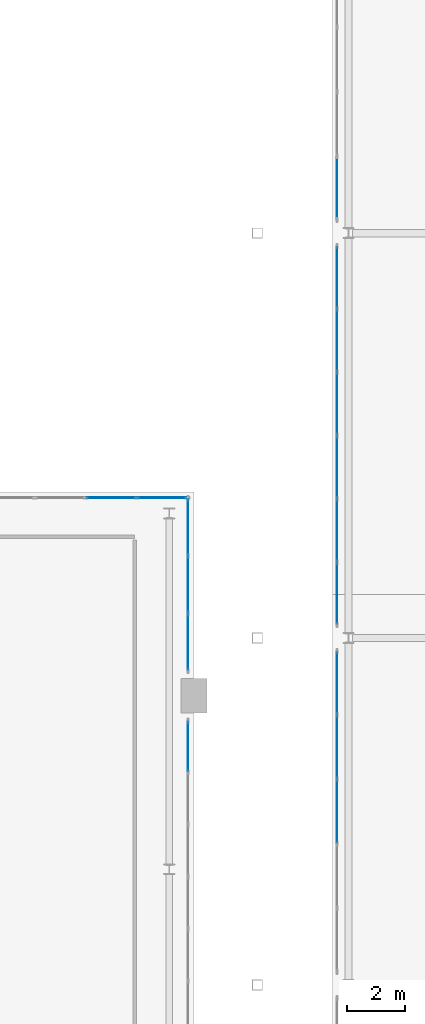
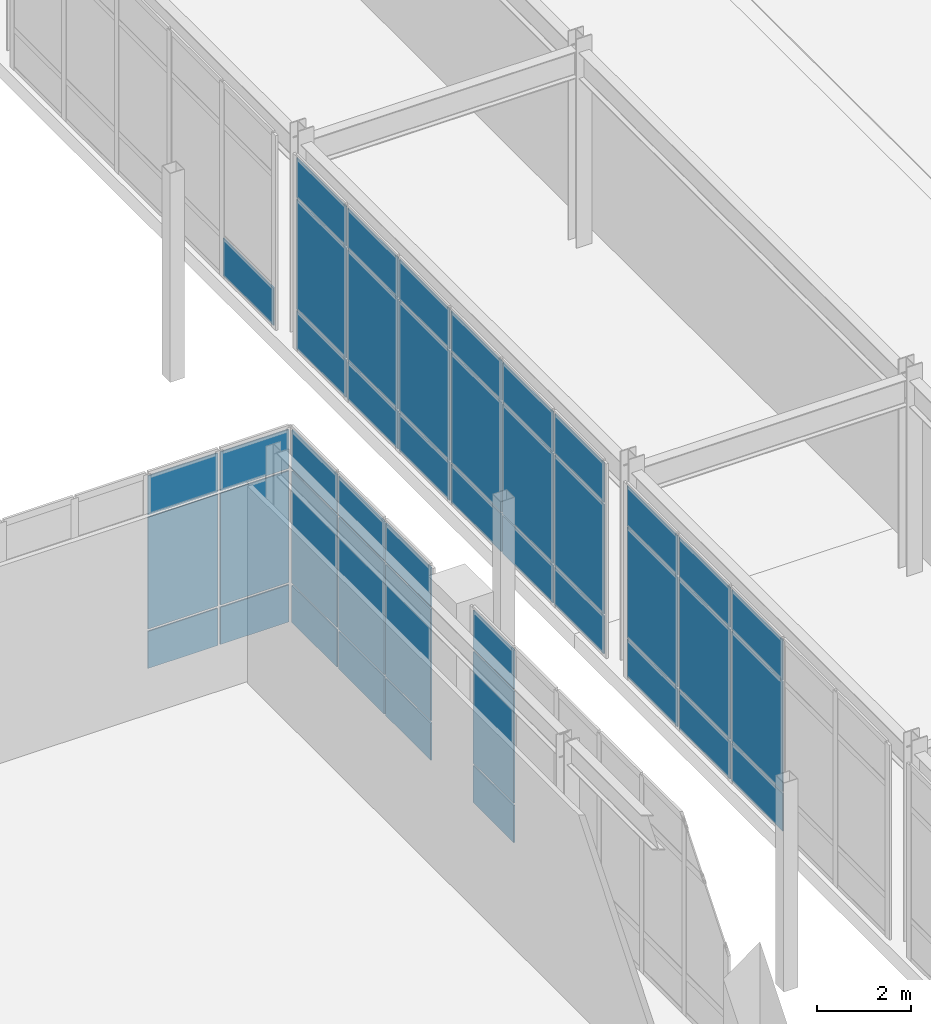
# One storey, part 113 of 159: 46 plates, 6 elements without a shape of their own.
"""IFC4 building model written with IfcOpenShell, lengths in metres."""

from ifc_helpers import new_model, si_unit, derived_unit, direction, frame, origin, origin_2d, place, context, subcontext, project, spatial, rectangle, extrude, material, layer, layer_set, type_object, element, aggregate, save


model = new_model("IFC4")

# Units and contexts
model_context = context("Model", 3, precision=1e-05, world=origin(), true_north=direction((0.0, 1.0)))
body_context = subcontext(model_context, "Body", "Model", "MODEL_VIEW")
ifc_project = project(units=[si_unit("LENGTHUNIT", "METRE"), si_unit("AREAUNIT", "SQUARE_METRE"), si_unit("VOLUMEUNIT", "CUBIC_METRE"), si_unit("PLANEANGLEUNIT", "RADIAN"), si_unit("MASSUNIT", "GRAM", prefix="KILO"), derived_unit("THERMALTRANSMITTANCEUNIT", [(si_unit("MASSUNIT", "GRAM", prefix="KILO"), 1), (si_unit("TIMEUNIT", "SECOND"), -3), (si_unit("THERMODYNAMICTEMPERATUREUNIT", "KELVIN"), -1)])], contexts=[model_context])

# Site, building, storey
site_placement = place(None, origin())
site = spatial("IfcSite", under=ifc_project, at=site_placement, CompositionType="ELEMENT")
building_placement = place(site_placement, origin())
building = spatial("IfcBuilding", under=site, at=building_placement, Name="Valcora Ridge Arena", CompositionType="ELEMENT")
storey_placement = place(building_placement, frame((0.0, 0.0, 6.0)))
storey = spatial("IfcBuildingStorey", under=building, at=storey_placement, Name="L01", CompositionType="ELEMENT", Elevation=6.0)

# Curtain wall, plates
ifc_material_1 = material(Name="Anodised dark bronze architectural aluminium 6063-T6", Category="aluminium")
ifc_layer_1 = layer(ifc_material_1, 0.179931640625, Name="Anodised dark bronze architectural aluminium 6063-T6")
ifc_layer_set_1 = layer_set([ifc_layer_1], Name="Anodised dark bronze architectural aluminium 6063-T6")
curtain_wall_type_1 = type_object("IfcCurtainWallType", Name="TY-CURTAINWALL-CW-V3-LANCET-194X51", PredefinedType="NOTDEFINED", material=ifc_layer_set_1)
curtain_wall_1_placement = place(storey_placement, origin())
curtain_wall_1 = element("IfcCurtainWall", 1, at=curtain_wall_1_placement, inside=storey, type_object=curtain_wall_type_1, Name="CW-V3-LANCET-194X51 CW-0017", PredefinedType="NOTDEFINED")
ifc_material_2 = material(Name="Low-iron solar-control double glazing SHGC 0.28", Category="glass")
ifc_layer_2 = layer(ifc_material_2, 0.031982421875, Name="Low-iron solar-control double glazing SHGC 0.28")
ifc_layer_set_2 = layer_set([ifc_layer_2], Name="Low-iron solar-control double glazing SHGC 0.28")
plate_type_1 = type_object("IfcPlateType", Name="TY-PLT-CWP-1678X0960", PredefinedType="CURTAIN_PANEL", material=ifc_layer_set_2)
plate_1_placement = place(storey_placement, frame((130.7509765625, 44.85009765625, 0.06005859375), z_axis=(0.0, 0.0, 1.0), x_axis=(1.0, 0.0, 0.0)))
plate_1 = element("IfcPlate", 2, at=plate_1_placement, type_object=plate_type_1, Name="CW-0017/P10-00", PredefinedType="CURTAIN_PANEL", context=body_context, shape_type="SweptSolid", body=[
    extrude(rectangle(XDim=1.677978515625, YDim=0.031982421875, at=origin_2d()), origin(), (0.0, 0.0, 1.0), 0.9599609375),
])
ifc_layer_3 = layer(ifc_material_2, 0.031982421875, Name="Low-iron solar-control double glazing SHGC 0.28")
ifc_layer_set_3 = layer_set([ifc_layer_3], Name="Low-iron solar-control double glazing SHGC 0.28")
plate_type_2 = type_object("IfcPlateType", Name="TY-PLT-CWP-1678X1010", PredefinedType="CURTAIN_PANEL", material=ifc_layer_set_3)
plate_2_placement = place(storey_placement, frame((130.7509765625, 44.85009765625, 4.02978515625), z_axis=(0.0, 0.0, 1.0), x_axis=(1.0, 0.0, 0.0)))
plate_2 = element("IfcPlate", 3, at=plate_2_placement, type_object=plate_type_2, Name="CW-0017/P10-02", PredefinedType="CURTAIN_PANEL", context=body_context, shape_type="SweptSolid", body=[
    extrude(rectangle(XDim=1.677978515625, YDim=0.031982421875, at=origin_2d()), origin(), (0.0, 0.0, 1.0), 1.010009765625),
])
ifc_layer_4 = layer(ifc_material_2, 0.031982421875, Name="Low-iron solar-control double glazing SHGC 0.28")
ifc_layer_set_4 = layer_set([ifc_layer_4], Name="Low-iron solar-control double glazing SHGC 0.28")
plate_type_3 = type_object("IfcPlateType", Name="TY-PLT-CWP-1678X2890", PredefinedType="CURTAIN_PANEL", material=ifc_layer_set_4)
plate_3_placement = place(storey_placement, frame((130.7509765625, 44.85009765625, 1.080078125), z_axis=(0.0, 0.0, 1.0), x_axis=(1.0, 0.0, 0.0)))
plate_3 = element("IfcPlate", 4, at=plate_3_placement, type_object=plate_type_3, Name="CW-0017/P10-01", PredefinedType="CURTAIN_PANEL", context=body_context, shape_type="SweptSolid", body=[
    extrude(rectangle(XDim=1.677978515625, YDim=0.031982421875, at=origin_2d()), origin(), (0.0, 0.0, 1.0), 2.889892578125),
])
ifc_layer_5 = layer(ifc_material_2, 0.031982421875, Name="Low-iron solar-control double glazing SHGC 0.28")
ifc_layer_set_5 = layer_set([ifc_layer_5], Name="Low-iron solar-control double glazing SHGC 0.28")
plate_type_4 = type_object("IfcPlateType", Name="TY-PLT-CWP-1708X0960", PredefinedType="CURTAIN_PANEL", material=ifc_layer_set_5)
plate_4_placement = place(storey_placement, frame((128.998046875, 44.85009765625, 0.06005859375), z_axis=(0.0, 0.0, 1.0), x_axis=(1.0, 0.0, 0.0)))
plate_4 = element("IfcPlate", 5, at=plate_4_placement, type_object=plate_type_4, Name="CW-0017/P09-00", PredefinedType="CURTAIN_PANEL", context=body_context, shape_type="SweptSolid", body=[
    extrude(rectangle(XDim=1.7080078125, YDim=0.031982421875, at=origin_2d()), origin(), (0.0, 0.0, 1.0), 0.9599609375),
])
ifc_layer_6 = layer(ifc_material_2, 0.031982421875, Name="Low-iron solar-control double glazing SHGC 0.28")
ifc_layer_set_6 = layer_set([ifc_layer_6], Name="Low-iron solar-control double glazing SHGC 0.28")
plate_type_5 = type_object("IfcPlateType", Name="TY-PLT-CWP-1708X1010", PredefinedType="CURTAIN_PANEL", material=ifc_layer_set_6)
plate_5_placement = place(storey_placement, frame((128.998046875, 44.85009765625, 4.02978515625), z_axis=(0.0, 0.0, 1.0), x_axis=(1.0, 0.0, 0.0)))
plate_5 = element("IfcPlate", 6, at=plate_5_placement, type_object=plate_type_5, Name="CW-0017/P09-02", PredefinedType="CURTAIN_PANEL", context=body_context, shape_type="SweptSolid", body=[
    extrude(rectangle(XDim=1.7080078125, YDim=0.031982421875, at=origin_2d()), origin(), (0.0, 0.0, 1.0), 1.010009765625),
])
ifc_layer_7 = layer(ifc_material_2, 0.031982421875, Name="Low-iron solar-control double glazing SHGC 0.28")
ifc_layer_set_7 = layer_set([ifc_layer_7], Name="Low-iron solar-control double glazing SHGC 0.28")
plate_type_6 = type_object("IfcPlateType", Name="TY-PLT-CWP-1708X2890", PredefinedType="CURTAIN_PANEL", material=ifc_layer_set_7)
plate_6_placement = place(storey_placement, frame((128.998046875, 44.85009765625, 1.080078125), z_axis=(0.0, 0.0, 1.0), x_axis=(1.0, 0.0, 0.0)))
plate_6 = element("IfcPlate", 7, at=plate_6_placement, type_object=plate_type_6, Name="CW-0017/P09-01", PredefinedType="CURTAIN_PANEL", context=body_context, shape_type="SweptSolid", body=[
    extrude(rectangle(XDim=1.7080078125, YDim=0.031982421875, at=origin_2d()), origin(), (0.0, 0.0, 1.0), 2.889892578125),
])
aggregate(curtain_wall_1, [plate_4, plate_6, plate_5, plate_1, plate_3, plate_2])

ifc_layer_8 = layer(ifc_material_1, 0.179931640625, Name="Anodised dark bronze architectural aluminium 6063-T6")
ifc_layer_set_8 = layer_set([ifc_layer_8], Name="Anodised dark bronze architectural aluminium 6063-T6")
curtain_wall_type_2 = type_object("IfcCurtainWallType", Name="TY-CURTAINWALL-CW-V3-LANCET-108X51", PredefinedType="NOTDEFINED", material=ifc_layer_set_8)
curtain_wall_2_placement = place(storey_placement, origin())
curtain_wall_2 = element("IfcCurtainWall", 8, at=curtain_wall_2_placement, inside=storey, type_object=curtain_wall_type_2, Name="CW-V3-LANCET-108X51 CW-0015", PredefinedType="NOTDEFINED")
ifc_layer_9 = layer(ifc_material_2, 0.031982421875, Name="Low-iron solar-control double glazing SHGC 0.28")
ifc_layer_set_9 = layer_set([ifc_layer_9], Name="Low-iron solar-control double glazing SHGC 0.28")
plate_type_7 = type_object("IfcPlateType", Name="TY-PLT-CWP-1713X0960", PredefinedType="CURTAIN_PANEL", material=ifc_layer_set_9)
plate_7_placement = place(storey_placement, frame((131.64990234375, 36.243408203125, 0.06005859375), z_axis=(0.0, 0.0, 1.0), x_axis=(0.0, 1.0, 0.0)))
plate_7 = element("IfcPlate", 9, at=plate_7_placement, type_object=plate_type_7, Name="CW-0015/P05-00", PredefinedType="CURTAIN_PANEL", context=body_context, shape_type="SweptSolid", body=[
    extrude(rectangle(XDim=1.712890625, YDim=0.031982421875, at=origin_2d()), origin(), (0.0, 0.0, 1.0), 0.9599609375),
])
ifc_layer_10 = layer(ifc_material_2, 0.031982421875, Name="Low-iron solar-control double glazing SHGC 0.28")
ifc_layer_set_10 = layer_set([ifc_layer_10], Name="Low-iron solar-control double glazing SHGC 0.28")
plate_type_8 = type_object("IfcPlateType", Name="TY-PLT-CWP-1713X1010", PredefinedType="CURTAIN_PANEL", material=ifc_layer_set_10)
plate_8_placement = place(storey_placement, frame((131.64990234375, 36.243408203125, 4.02978515625), z_axis=(0.0, 0.0, 1.0), x_axis=(0.0, 1.0, 0.0)))
plate_8 = element("IfcPlate", 10, at=plate_8_placement, type_object=plate_type_8, Name="CW-0015/P05-02", PredefinedType="CURTAIN_PANEL", context=body_context, shape_type="SweptSolid", body=[
    extrude(rectangle(XDim=1.712890625, YDim=0.031982421875, at=origin_2d()), origin(), (0.0, 0.0, 1.0), 1.010009765625),
])
ifc_layer_11 = layer(ifc_material_2, 0.031982421875, Name="Low-iron solar-control double glazing SHGC 0.28")
ifc_layer_set_11 = layer_set([ifc_layer_11], Name="Low-iron solar-control double glazing SHGC 0.28")
plate_type_9 = type_object("IfcPlateType", Name="TY-PLT-CWP-1713X2890", PredefinedType="CURTAIN_PANEL", material=ifc_layer_set_11)
plate_9_placement = place(storey_placement, frame((131.64990234375, 36.243408203125, 1.080078125), z_axis=(0.0, 0.0, 1.0), x_axis=(0.0, 1.0, 0.0)))
plate_9 = element("IfcPlate", 11, at=plate_9_placement, type_object=plate_type_9, Name="CW-0015/P05-01", PredefinedType="CURTAIN_PANEL", context=body_context, shape_type="SweptSolid", body=[
    extrude(rectangle(XDim=1.712890625, YDim=0.031982421875, at=origin_2d()), origin(), (0.0, 0.0, 1.0), 2.889892578125),
])
aggregate(curtain_wall_2, [plate_7, plate_9, plate_8])

ifc_layer_12 = layer(ifc_material_1, 0.179931640625, Name="Anodised dark bronze architectural aluminium 6063-T6")
ifc_layer_set_12 = layer_set([ifc_layer_12], Name="Anodised dark bronze architectural aluminium 6063-T6")
curtain_wall_type_3 = type_object("IfcCurtainWallType", Name="TY-CURTAINWALL-CW-V3-LANCET-060X51", PredefinedType="NOTDEFINED", material=ifc_layer_set_12)
curtain_wall_3_placement = place(storey_placement, origin())
curtain_wall_3 = element("IfcCurtainWall", 12, at=curtain_wall_3_placement, inside=storey, type_object=curtain_wall_type_3, Name="CW-V3-LANCET-060X51 CW-0016", PredefinedType="NOTDEFINED")
ifc_layer_13 = layer(ifc_material_2, 0.031982421875, Name="Low-iron solar-control double glazing SHGC 0.28")
ifc_layer_set_13 = layer_set([ifc_layer_13], Name="Low-iron solar-control double glazing SHGC 0.28")
plate_type_10 = type_object("IfcPlateType", Name="TY-PLT-CWP-1913X0960", PredefinedType="CURTAIN_PANEL", material=ifc_layer_set_13)
plate_10_placement = place(storey_placement, frame((131.64990234375, 39.8564453125, 0.06005859375), z_axis=(0.0, 0.0, 1.0), x_axis=(0.0, 1.0, 0.0)))
plate_10 = element("IfcPlate", 13, at=plate_10_placement, type_object=plate_type_10, Name="CW-0016/P00-00", PredefinedType="CURTAIN_PANEL", context=body_context, shape_type="SweptSolid", body=[
    extrude(rectangle(XDim=1.9130859375, YDim=0.031982421875, at=origin_2d()), origin(), (0.0, 0.0, 1.0), 0.9599609375),
])
plate_11_placement = place(storey_placement, frame((131.64990234375, 43.83349609375, 0.06005859375), z_axis=(0.0, 0.0, 1.0), x_axis=(0.0, 1.0, 0.0)))
plate_11 = element("IfcPlate", 14, at=plate_11_placement, type_object=plate_type_10, Name="CW-0016/P02-00", PredefinedType="CURTAIN_PANEL", context=body_context, shape_type="SweptSolid", body=[
    extrude(rectangle(XDim=1.9130859375, YDim=0.031982421875, at=origin_2d()), origin(), (0.0, 0.0, 1.0), 0.9599609375),
])
ifc_layer_14 = layer(ifc_material_2, 0.031982421875, Name="Low-iron solar-control double glazing SHGC 0.28")
ifc_layer_set_14 = layer_set([ifc_layer_14], Name="Low-iron solar-control double glazing SHGC 0.28")
plate_type_11 = type_object("IfcPlateType", Name="TY-PLT-CWP-1913X1010", PredefinedType="CURTAIN_PANEL", material=ifc_layer_set_14)
plate_12_placement = place(storey_placement, frame((131.64990234375, 39.8564453125, 4.02978515625), z_axis=(0.0, 0.0, 1.0), x_axis=(0.0, 1.0, 0.0)))
plate_12 = element("IfcPlate", 15, at=plate_12_placement, type_object=plate_type_11, Name="CW-0016/P00-02", PredefinedType="CURTAIN_PANEL", context=body_context, shape_type="SweptSolid", body=[
    extrude(rectangle(XDim=1.9130859375, YDim=0.031982421875, at=origin_2d()), origin(), (0.0, 0.0, 1.0), 1.010009765625),
])
plate_13_placement = place(storey_placement, frame((131.64990234375, 43.83349609375, 4.02978515625), z_axis=(0.0, 0.0, 1.0), x_axis=(0.0, 1.0, 0.0)))
plate_13 = element("IfcPlate", 16, at=plate_13_placement, type_object=plate_type_11, Name="CW-0016/P02-02", PredefinedType="CURTAIN_PANEL", context=body_context, shape_type="SweptSolid", body=[
    extrude(rectangle(XDim=1.9130859375, YDim=0.031982421875, at=origin_2d()), origin(), (0.0, 0.0, 1.0), 1.010009765625),
])
ifc_layer_15 = layer(ifc_material_2, 0.031982421875, Name="Low-iron solar-control double glazing SHGC 0.28")
ifc_layer_set_15 = layer_set([ifc_layer_15], Name="Low-iron solar-control double glazing SHGC 0.28")
plate_type_12 = type_object("IfcPlateType", Name="TY-PLT-CWP-1913X2890", PredefinedType="CURTAIN_PANEL", material=ifc_layer_set_15)
plate_14_placement = place(storey_placement, frame((131.64990234375, 39.8564453125, 1.080078125), z_axis=(0.0, 0.0, 1.0), x_axis=(0.0, 1.0, 0.0)))
plate_14 = element("IfcPlate", 17, at=plate_14_placement, type_object=plate_type_12, Name="CW-0016/P00-01", PredefinedType="CURTAIN_PANEL", context=body_context, shape_type="SweptSolid", body=[
    extrude(rectangle(XDim=1.9130859375, YDim=0.031982421875, at=origin_2d()), origin(), (0.0, 0.0, 1.0), 2.889892578125),
])
plate_15_placement = place(storey_placement, frame((131.64990234375, 43.83349609375, 1.080078125), z_axis=(0.0, 0.0, 1.0), x_axis=(0.0, 1.0, 0.0)))
plate_15 = element("IfcPlate", 18, at=plate_15_placement, type_object=plate_type_12, Name="CW-0016/P02-01", PredefinedType="CURTAIN_PANEL", context=body_context, shape_type="SweptSolid", body=[
    extrude(rectangle(XDim=1.9130859375, YDim=0.031982421875, at=origin_2d()), origin(), (0.0, 0.0, 1.0), 2.889892578125),
])
ifc_layer_16 = layer(ifc_material_2, 0.031982421875, Name="Low-iron solar-control double glazing SHGC 0.28")
ifc_layer_set_16 = layer_set([ifc_layer_16], Name="Low-iron solar-control double glazing SHGC 0.28")
plate_type_13 = type_object("IfcPlateType", Name="TY-PLT-CWP-1944X0960", PredefinedType="CURTAIN_PANEL", material=ifc_layer_set_16)
plate_16_placement = place(storey_placement, frame((131.64990234375, 41.844970703125, 0.06005859375), z_axis=(0.0, 0.0, 1.0), x_axis=(0.0, 1.0, 0.0)))
plate_16 = element("IfcPlate", 19, at=plate_16_placement, type_object=plate_type_13, Name="CW-0016/P01-00", PredefinedType="CURTAIN_PANEL", context=body_context, shape_type="SweptSolid", body=[
    extrude(rectangle(XDim=1.944091796875, YDim=0.031982421875, at=origin_2d()), origin(), (0.0, 0.0, 1.0), 0.9599609375),
])
ifc_layer_17 = layer(ifc_material_2, 0.031982421875, Name="Low-iron solar-control double glazing SHGC 0.28")
ifc_layer_set_17 = layer_set([ifc_layer_17], Name="Low-iron solar-control double glazing SHGC 0.28")
plate_type_14 = type_object("IfcPlateType", Name="TY-PLT-CWP-1944X1010", PredefinedType="CURTAIN_PANEL", material=ifc_layer_set_17)
plate_17_placement = place(storey_placement, frame((131.64990234375, 41.844970703125, 4.02978515625), z_axis=(0.0, 0.0, 1.0), x_axis=(0.0, 1.0, 0.0)))
plate_17 = element("IfcPlate", 20, at=plate_17_placement, type_object=plate_type_14, Name="CW-0016/P01-02", PredefinedType="CURTAIN_PANEL", context=body_context, shape_type="SweptSolid", body=[
    extrude(rectangle(XDim=1.944091796875, YDim=0.031982421875, at=origin_2d()), origin(), (0.0, 0.0, 1.0), 1.010009765625),
])
ifc_layer_18 = layer(ifc_material_2, 0.031982421875, Name="Low-iron solar-control double glazing SHGC 0.28")
ifc_layer_set_18 = layer_set([ifc_layer_18], Name="Low-iron solar-control double glazing SHGC 0.28")
plate_type_15 = type_object("IfcPlateType", Name="TY-PLT-CWP-1944X2890", PredefinedType="CURTAIN_PANEL", material=ifc_layer_set_18)
plate_18_placement = place(storey_placement, frame((131.64990234375, 41.844970703125, 1.080078125), z_axis=(0.0, 0.0, 1.0), x_axis=(0.0, 1.0, 0.0)))
plate_18 = element("IfcPlate", 21, at=plate_18_placement, type_object=plate_type_15, Name="CW-0016/P01-01", PredefinedType="CURTAIN_PANEL", context=body_context, shape_type="SweptSolid", body=[
    extrude(rectangle(XDim=1.944091796875, YDim=0.031982421875, at=origin_2d()), origin(), (0.0, 0.0, 1.0), 2.889892578125),
])
aggregate(curtain_wall_3, [plate_10, plate_14, plate_12, plate_16, plate_18, plate_17, plate_11, plate_15, plate_13])

ifc_layer_19 = layer(ifc_material_1, 0.179931640625, Name="Anodised dark bronze architectural aluminium 6063-T6")
ifc_layer_set_19 = layer_set([ifc_layer_19], Name="Anodised dark bronze architectural aluminium 6063-T6")
curtain_wall_type_4 = type_object("IfcCurtainWallType", Name="TY-CURTAINWALL-CW-V2-GLAZ-131X50", PredefinedType="NOTDEFINED", material=ifc_layer_set_19)
curtain_wall_4_placement = place(storey_placement, origin())
curtain_wall_4 = element("IfcCurtainWall", 22, at=curtain_wall_4_placement, inside=storey, type_object=curtain_wall_type_4, Name="CW-V2-GLAZ-131X50 CW-0041", PredefinedType="NOTDEFINED")
ifc_layer_20 = layer(ifc_material_2, 0.028076171875, Name="Low-iron solar-control double glazing SHGC 0.28")
ifc_layer_set_20 = layer_set([ifc_layer_20], Name="Low-iron solar-control double glazing SHGC 0.28")
plate_type_16 = type_object("IfcPlateType", Name="TY-PLT-CWP-2101X0975", PredefinedType="CURTAIN_PANEL", material=ifc_layer_set_20)
plate_19_placement = place(storey_placement, frame((136.800048828125, 41.537109375, 0.050048828125), z_axis=(0.0, 0.0, 1.0), x_axis=(0.0, 1.0, 0.0)))
plate_19 = element("IfcPlate", 23, at=plate_19_placement, type_object=plate_type_16, Name="CW-0041/P00-00", PredefinedType="CURTAIN_PANEL", context=body_context, shape_type="SweptSolid", body=[
    extrude(rectangle(XDim=2.10107421875, YDim=0.028076171875, at=origin_2d()), origin(), (0.0, 0.0, 1.0), 0.97509765625),
])
plate_20_placement = place(storey_placement, frame((136.800048828125, 52.462890625, 0.050048828125), z_axis=(0.0, 0.0, 1.0), x_axis=(0.0, 1.0, 0.0)))
plate_20 = element("IfcPlate", 24, at=plate_20_placement, type_object=plate_type_16, Name="CW-0041/P05-00", PredefinedType="CURTAIN_PANEL", context=body_context, shape_type="SweptSolid", body=[
    extrude(rectangle(XDim=2.10107421875, YDim=0.028076171875, at=origin_2d()), origin(), (0.0, 0.0, 1.0), 0.97509765625),
])
ifc_layer_21 = layer(ifc_material_2, 0.028076171875, Name="Low-iron solar-control double glazing SHGC 0.28")
ifc_layer_set_21 = layer_set([ifc_layer_21], Name="Low-iron solar-control double glazing SHGC 0.28")
plate_type_17 = type_object("IfcPlateType", Name="TY-PLT-CWP-2101X1025", PredefinedType="CURTAIN_PANEL", material=ifc_layer_set_21)
plate_21_placement = place(storey_placement, frame((136.800048828125, 41.537109375, 3.965087890625), z_axis=(0.0, 0.0, 1.0), x_axis=(0.0, 1.0, 0.0)))
plate_21 = element("IfcPlate", 25, at=plate_21_placement, type_object=plate_type_17, Name="CW-0041/P00-02", PredefinedType="CURTAIN_PANEL", context=body_context, shape_type="SweptSolid", body=[
    extrude(rectangle(XDim=2.10107421875, YDim=0.028076171875, at=origin_2d()), origin(), (0.0, 0.0, 1.0), 1.02490234375),
])
plate_22_placement = place(storey_placement, frame((136.800048828125, 52.462890625, 3.965087890625), z_axis=(0.0, 0.0, 1.0), x_axis=(0.0, 1.0, 0.0)))
plate_22 = element("IfcPlate", 26, at=plate_22_placement, type_object=plate_type_17, Name="CW-0041/P05-02", PredefinedType="CURTAIN_PANEL", context=body_context, shape_type="SweptSolid", body=[
    extrude(rectangle(XDim=2.10107421875, YDim=0.028076171875, at=origin_2d()), origin(), (0.0, 0.0, 1.0), 1.02490234375),
])
ifc_layer_22 = layer(ifc_material_2, 0.028076171875, Name="Low-iron solar-control double glazing SHGC 0.28")
ifc_layer_set_22 = layer_set([ifc_layer_22], Name="Low-iron solar-control double glazing SHGC 0.28")
plate_type_18 = type_object("IfcPlateType", Name="TY-PLT-CWP-2101X2840", PredefinedType="CURTAIN_PANEL", material=ifc_layer_set_22)
plate_23_placement = place(storey_placement, frame((136.800048828125, 41.537109375, 1.0751953125), z_axis=(0.0, 0.0, 1.0), x_axis=(0.0, 1.0, 0.0)))
plate_23 = element("IfcPlate", 27, at=plate_23_placement, type_object=plate_type_18, Name="CW-0041/P00-01", PredefinedType="CURTAIN_PANEL", context=body_context, shape_type="SweptSolid", body=[
    extrude(rectangle(XDim=2.10107421875, YDim=0.028076171875, at=origin_2d()), origin(), (0.0, 0.0, 1.0), 2.840087890625),
])
plate_24_placement = place(storey_placement, frame((136.800048828125, 52.462890625, 1.0751953125), z_axis=(0.0, 0.0, 1.0), x_axis=(0.0, 1.0, 0.0)))
plate_24 = element("IfcPlate", 28, at=plate_24_placement, type_object=plate_type_18, Name="CW-0041/P05-01", PredefinedType="CURTAIN_PANEL", context=body_context, shape_type="SweptSolid", body=[
    extrude(rectangle(XDim=2.10107421875, YDim=0.028076171875, at=origin_2d()), origin(), (0.0, 0.0, 1.0), 2.840087890625),
])
ifc_layer_23 = layer(ifc_material_2, 0.028076171875, Name="Low-iron solar-control double glazing SHGC 0.28")
ifc_layer_set_23 = layer_set([ifc_layer_23], Name="Low-iron solar-control double glazing SHGC 0.28")
plate_type_19 = type_object("IfcPlateType", Name="TY-PLT-CWP-2131X0975", PredefinedType="CURTAIN_PANEL", material=ifc_layer_set_23)
plate_25_placement = place(storey_placement, frame((136.800048828125, 43.712890625, 0.050048828125), z_axis=(0.0, 0.0, 1.0), x_axis=(0.0, 1.0, 0.0)))
plate_25 = element("IfcPlate", 29, at=plate_25_placement, type_object=plate_type_19, Name="CW-0041/P01-00", PredefinedType="CURTAIN_PANEL", context=body_context, shape_type="SweptSolid", body=[
    extrude(rectangle(XDim=2.131103515625, YDim=0.028076171875, at=origin_2d()), origin(), (0.0, 0.0, 1.0), 0.97509765625),
])
plate_26_placement = place(storey_placement, frame((136.800048828125, 45.904052734375, 0.050048828125), z_axis=(0.0, 0.0, 1.0), x_axis=(0.0, 1.0, 0.0)))
plate_26 = element("IfcPlate", 30, at=plate_26_placement, type_object=plate_type_19, Name="CW-0041/P02-00", PredefinedType="CURTAIN_PANEL", context=body_context, shape_type="SweptSolid", body=[
    extrude(rectangle(XDim=2.131103515625, YDim=0.028076171875, at=origin_2d()), origin(), (0.0, 0.0, 1.0), 0.97509765625),
])
plate_27_placement = place(storey_placement, frame((136.800048828125, 48.095947265625, 0.050048828125), z_axis=(0.0, 0.0, 1.0), x_axis=(0.0, 1.0, 0.0)))
plate_27 = element("IfcPlate", 31, at=plate_27_placement, type_object=plate_type_19, Name="CW-0041/P03-00", PredefinedType="CURTAIN_PANEL", context=body_context, shape_type="SweptSolid", body=[
    extrude(rectangle(XDim=2.131103515625, YDim=0.028076171875, at=origin_2d()), origin(), (0.0, 0.0, 1.0), 0.97509765625),
])
plate_28_placement = place(storey_placement, frame((136.800048828125, 50.287109375, 0.050048828125), z_axis=(0.0, 0.0, 1.0), x_axis=(0.0, 1.0, 0.0)))
plate_28 = element("IfcPlate", 32, at=plate_28_placement, type_object=plate_type_19, Name="CW-0041/P04-00", PredefinedType="CURTAIN_PANEL", context=body_context, shape_type="SweptSolid", body=[
    extrude(rectangle(XDim=2.131103515625, YDim=0.028076171875, at=origin_2d()), origin(), (0.0, 0.0, 1.0), 0.97509765625),
])
ifc_layer_24 = layer(ifc_material_2, 0.028076171875, Name="Low-iron solar-control double glazing SHGC 0.28")
ifc_layer_set_24 = layer_set([ifc_layer_24], Name="Low-iron solar-control double glazing SHGC 0.28")
plate_type_20 = type_object("IfcPlateType", Name="TY-PLT-CWP-2131X1025", PredefinedType="CURTAIN_PANEL", material=ifc_layer_set_24)
plate_29_placement = place(storey_placement, frame((136.800048828125, 43.712890625, 3.965087890625), z_axis=(0.0, 0.0, 1.0), x_axis=(0.0, 1.0, 0.0)))
plate_29 = element("IfcPlate", 33, at=plate_29_placement, type_object=plate_type_20, Name="CW-0041/P01-02", PredefinedType="CURTAIN_PANEL", context=body_context, shape_type="SweptSolid", body=[
    extrude(rectangle(XDim=2.131103515625, YDim=0.028076171875, at=origin_2d()), origin(), (0.0, 0.0, 1.0), 1.02490234375),
])
plate_30_placement = place(storey_placement, frame((136.800048828125, 45.904052734375, 3.965087890625), z_axis=(0.0, 0.0, 1.0), x_axis=(0.0, 1.0, 0.0)))
plate_30 = element("IfcPlate", 34, at=plate_30_placement, type_object=plate_type_20, Name="CW-0041/P02-02", PredefinedType="CURTAIN_PANEL", context=body_context, shape_type="SweptSolid", body=[
    extrude(rectangle(XDim=2.131103515625, YDim=0.028076171875, at=origin_2d()), origin(), (0.0, 0.0, 1.0), 1.02490234375),
])
plate_31_placement = place(storey_placement, frame((136.800048828125, 48.095947265625, 3.965087890625), z_axis=(0.0, 0.0, 1.0), x_axis=(0.0, 1.0, 0.0)))
plate_31 = element("IfcPlate", 35, at=plate_31_placement, type_object=plate_type_20, Name="CW-0041/P03-02", PredefinedType="CURTAIN_PANEL", context=body_context, shape_type="SweptSolid", body=[
    extrude(rectangle(XDim=2.131103515625, YDim=0.028076171875, at=origin_2d()), origin(), (0.0, 0.0, 1.0), 1.02490234375),
])
plate_32_placement = place(storey_placement, frame((136.800048828125, 50.287109375, 3.965087890625), z_axis=(0.0, 0.0, 1.0), x_axis=(0.0, 1.0, 0.0)))
plate_32 = element("IfcPlate", 36, at=plate_32_placement, type_object=plate_type_20, Name="CW-0041/P04-02", PredefinedType="CURTAIN_PANEL", context=body_context, shape_type="SweptSolid", body=[
    extrude(rectangle(XDim=2.131103515625, YDim=0.028076171875, at=origin_2d()), origin(), (0.0, 0.0, 1.0), 1.02490234375),
])
ifc_layer_25 = layer(ifc_material_2, 0.028076171875, Name="Low-iron solar-control double glazing SHGC 0.28")
ifc_layer_set_25 = layer_set([ifc_layer_25], Name="Low-iron solar-control double glazing SHGC 0.28")
plate_type_21 = type_object("IfcPlateType", Name="TY-PLT-CWP-2131X2840", PredefinedType="CURTAIN_PANEL", material=ifc_layer_set_25)
plate_33_placement = place(storey_placement, frame((136.800048828125, 43.712890625, 1.0751953125), z_axis=(0.0, 0.0, 1.0), x_axis=(0.0, 1.0, 0.0)))
plate_33 = element("IfcPlate", 37, at=plate_33_placement, type_object=plate_type_21, Name="CW-0041/P01-01", PredefinedType="CURTAIN_PANEL", context=body_context, shape_type="SweptSolid", body=[
    extrude(rectangle(XDim=2.131103515625, YDim=0.028076171875, at=origin_2d()), origin(), (0.0, 0.0, 1.0), 2.840087890625),
])
plate_34_placement = place(storey_placement, frame((136.800048828125, 45.904052734375, 1.0751953125), z_axis=(0.0, 0.0, 1.0), x_axis=(0.0, 1.0, 0.0)))
plate_34 = element("IfcPlate", 38, at=plate_34_placement, type_object=plate_type_21, Name="CW-0041/P02-01", PredefinedType="CURTAIN_PANEL", context=body_context, shape_type="SweptSolid", body=[
    extrude(rectangle(XDim=2.131103515625, YDim=0.028076171875, at=origin_2d()), origin(), (0.0, 0.0, 1.0), 2.840087890625),
])
plate_35_placement = place(storey_placement, frame((136.800048828125, 48.095947265625, 1.0751953125), z_axis=(0.0, 0.0, 1.0), x_axis=(0.0, 1.0, 0.0)))
plate_35 = element("IfcPlate", 39, at=plate_35_placement, type_object=plate_type_21, Name="CW-0041/P03-01", PredefinedType="CURTAIN_PANEL", context=body_context, shape_type="SweptSolid", body=[
    extrude(rectangle(XDim=2.131103515625, YDim=0.028076171875, at=origin_2d()), origin(), (0.0, 0.0, 1.0), 2.840087890625),
])
plate_36_placement = place(storey_placement, frame((136.800048828125, 50.287109375, 1.0751953125), z_axis=(0.0, 0.0, 1.0), x_axis=(0.0, 1.0, 0.0)))
plate_36 = element("IfcPlate", 40, at=plate_36_placement, type_object=plate_type_21, Name="CW-0041/P04-01", PredefinedType="CURTAIN_PANEL", context=body_context, shape_type="SweptSolid", body=[
    extrude(rectangle(XDim=2.131103515625, YDim=0.028076171875, at=origin_2d()), origin(), (0.0, 0.0, 1.0), 2.840087890625),
])
aggregate(curtain_wall_4, [plate_19, plate_23, plate_21, plate_25, plate_33, plate_29, plate_26, plate_34, plate_30, plate_27, plate_35, plate_31, plate_28, plate_36, plate_32, plate_20, plate_24, plate_22])

# Curtain wall, plate
ifc_layer_26 = layer(ifc_material_1, 0.179931640625, Name="Anodised dark bronze architectural aluminium 6063-T6")
ifc_layer_set_26 = layer_set([ifc_layer_26], Name="Anodised dark bronze architectural aluminium 6063-T6")
curtain_wall_type_5 = type_object("IfcCurtainWallType", Name="TY-CURTAINWALL-CW-V2-GLAZ-111X50", PredefinedType="NOTDEFINED", material=ifc_layer_set_26)
curtain_wall_5_placement = place(storey_placement, origin())
curtain_wall_5 = element("IfcCurtainWall", 41, at=curtain_wall_5_placement, inside=storey, type_object=curtain_wall_type_5, Name="CW-V2-GLAZ-111X50 CW-0040", PredefinedType="NOTDEFINED")
ifc_layer_27 = layer(ifc_material_2, 0.028076171875, Name="Low-iron solar-control double glazing SHGC 0.28")
ifc_layer_set_27 = layer_set([ifc_layer_27], Name="Low-iron solar-control double glazing SHGC 0.28")
plate_type_22 = type_object("IfcPlateType", Name="TY-PLT-CWP-2139X0975", PredefinedType="CURTAIN_PANEL", material=ifc_layer_set_27)
plate_37_placement = place(storey_placement, frame((136.800048828125, 38.444091796875, 0.050048828125), z_axis=(0.0, 0.0, 1.0), x_axis=(0.0, 1.0, 0.0)))
plate_37 = element("IfcPlate", 42, at=plate_37_placement, type_object=plate_type_22, Name="CW-0040/P04-00", PredefinedType="CURTAIN_PANEL", context=body_context, shape_type="SweptSolid", body=[
    extrude(rectangle(XDim=2.138916015625, YDim=0.028076171875, at=origin_2d()), origin(), (0.0, 0.0, 1.0), 0.97509765625),
])

curtain_wall_6_placement = place(storey_placement, origin())
curtain_wall_6 = element("IfcCurtainWall", 43, at=curtain_wall_6_placement, inside=storey, type_object=curtain_wall_type_5, Name="CW-V2-GLAZ-111X50 CW-0042", PredefinedType="NOTDEFINED")
plate_38_placement = place(storey_placement, frame((136.800048828125, 55.555908203125, 0.050048828125), z_axis=(0.0, 0.0, 1.0), x_axis=(0.0, 1.0, 0.0)))
plate_38 = element("IfcPlate", 44, at=plate_38_placement, type_object=plate_type_22, Name="CW-0042/P00-00", PredefinedType="CURTAIN_PANEL", context=body_context, shape_type="SweptSolid", body=[
    extrude(rectangle(XDim=2.138916015625, YDim=0.028076171875, at=origin_2d()), origin(), (0.0, 0.0, 1.0), 0.97509765625),
])
aggregate(curtain_wall_6, [plate_38])

# Plate
ifc_layer_28 = layer(ifc_material_2, 0.028076171875, Name="Low-iron solar-control double glazing SHGC 0.28")
ifc_layer_set_28 = layer_set([ifc_layer_28], Name="Low-iron solar-control double glazing SHGC 0.28")
plate_type_23 = type_object("IfcPlateType", Name="TY-PLT-CWP-2139X1025", PredefinedType="CURTAIN_PANEL", material=ifc_layer_set_28)
plate_39_placement = place(storey_placement, frame((136.800048828125, 38.444091796875, 3.965087890625), z_axis=(0.0, 0.0, 1.0), x_axis=(0.0, 1.0, 0.0)))
plate_39 = element("IfcPlate", 45, at=plate_39_placement, type_object=plate_type_23, Name="CW-0040/P04-02", PredefinedType="CURTAIN_PANEL", context=body_context, shape_type="SweptSolid", body=[
    extrude(rectangle(XDim=2.138916015625, YDim=0.028076171875, at=origin_2d()), origin(), (0.0, 0.0, 1.0), 1.02490234375),
])

ifc_layer_29 = layer(ifc_material_2, 0.028076171875, Name="Low-iron solar-control double glazing SHGC 0.28")
ifc_layer_set_29 = layer_set([ifc_layer_29], Name="Low-iron solar-control double glazing SHGC 0.28")
plate_type_24 = type_object("IfcPlateType", Name="TY-PLT-CWP-2139X2840", PredefinedType="CURTAIN_PANEL", material=ifc_layer_set_29)
plate_40_placement = place(storey_placement, frame((136.800048828125, 38.444091796875, 1.0751953125), z_axis=(0.0, 0.0, 1.0), x_axis=(0.0, 1.0, 0.0)))
plate_40 = element("IfcPlate", 46, at=plate_40_placement, type_object=plate_type_24, Name="CW-0040/P04-01", PredefinedType="CURTAIN_PANEL", context=body_context, shape_type="SweptSolid", body=[
    extrude(rectangle(XDim=2.138916015625, YDim=0.028076171875, at=origin_2d()), origin(), (0.0, 0.0, 1.0), 2.840087890625),
])

ifc_layer_30 = layer(ifc_material_2, 0.028076171875, Name="Low-iron solar-control double glazing SHGC 0.28")
ifc_layer_set_30 = layer_set([ifc_layer_30], Name="Low-iron solar-control double glazing SHGC 0.28")
plate_type_25 = type_object("IfcPlateType", Name="TY-PLT-CWP-2169X0975", PredefinedType="CURTAIN_PANEL", material=ifc_layer_set_30)
plate_41_placement = place(storey_placement, frame((136.800048828125, 34.0, 0.050048828125), z_axis=(0.0, 0.0, 1.0), x_axis=(0.0, 1.0, 0.0)))
plate_41 = element("IfcPlate", 47, at=plate_41_placement, type_object=plate_type_25, Name="CW-0040/P02-00", PredefinedType="CURTAIN_PANEL", context=body_context, shape_type="SweptSolid", body=[
    extrude(rectangle(XDim=2.1689453125, YDim=0.028076171875, at=origin_2d()), origin(), (0.0, 0.0, 1.0), 0.97509765625),
])

ifc_layer_31 = layer(ifc_material_2, 0.028076171875, Name="Low-iron solar-control double glazing SHGC 0.28")
ifc_layer_set_31 = layer_set([ifc_layer_31], Name="Low-iron solar-control double glazing SHGC 0.28")
plate_type_26 = type_object("IfcPlateType", Name="TY-PLT-CWP-2169X1025", PredefinedType="CURTAIN_PANEL", material=ifc_layer_set_31)
plate_42_placement = place(storey_placement, frame((136.800048828125, 34.0, 3.965087890625), z_axis=(0.0, 0.0, 1.0), x_axis=(0.0, 1.0, 0.0)))
plate_42 = element("IfcPlate", 48, at=plate_42_placement, type_object=plate_type_26, Name="CW-0040/P02-02", PredefinedType="CURTAIN_PANEL", context=body_context, shape_type="SweptSolid", body=[
    extrude(rectangle(XDim=2.1689453125, YDim=0.028076171875, at=origin_2d()), origin(), (0.0, 0.0, 1.0), 1.02490234375),
])

ifc_layer_32 = layer(ifc_material_2, 0.028076171875, Name="Low-iron solar-control double glazing SHGC 0.28")
ifc_layer_set_32 = layer_set([ifc_layer_32], Name="Low-iron solar-control double glazing SHGC 0.28")
plate_type_27 = type_object("IfcPlateType", Name="TY-PLT-CWP-2169X2840", PredefinedType="CURTAIN_PANEL", material=ifc_layer_set_32)
plate_43_placement = place(storey_placement, frame((136.800048828125, 34.0, 1.0751953125), z_axis=(0.0, 0.0, 1.0), x_axis=(0.0, 1.0, 0.0)))
plate_43 = element("IfcPlate", 49, at=plate_43_placement, type_object=plate_type_27, Name="CW-0040/P02-01", PredefinedType="CURTAIN_PANEL", context=body_context, shape_type="SweptSolid", body=[
    extrude(rectangle(XDim=2.1689453125, YDim=0.028076171875, at=origin_2d()), origin(), (0.0, 0.0, 1.0), 2.840087890625),
])

ifc_layer_33 = layer(ifc_material_2, 0.028076171875, Name="Low-iron solar-control double glazing SHGC 0.28")
ifc_layer_set_33 = layer_set([ifc_layer_33], Name="Low-iron solar-control double glazing SHGC 0.28")
plate_type_28 = type_object("IfcPlateType", Name="TY-PLT-CWP-2170X0975", PredefinedType="CURTAIN_PANEL", material=ifc_layer_set_33)
plate_44_placement = place(storey_placement, frame((136.800048828125, 36.2294921875, 0.050048828125), z_axis=(0.0, 0.0, 1.0), x_axis=(0.0, 1.0, 0.0)))
plate_44 = element("IfcPlate", 50, at=plate_44_placement, type_object=plate_type_28, Name="CW-0040/P03-00", PredefinedType="CURTAIN_PANEL", context=body_context, shape_type="SweptSolid", body=[
    extrude(rectangle(XDim=2.169921875, YDim=0.028076171875, at=origin_2d()), origin(), (0.0, 0.0, 1.0), 0.97509765625),
])

ifc_layer_34 = layer(ifc_material_2, 0.028076171875, Name="Low-iron solar-control double glazing SHGC 0.28")
ifc_layer_set_34 = layer_set([ifc_layer_34], Name="Low-iron solar-control double glazing SHGC 0.28")
plate_type_29 = type_object("IfcPlateType", Name="TY-PLT-CWP-2170X1025", PredefinedType="CURTAIN_PANEL", material=ifc_layer_set_34)
plate_45_placement = place(storey_placement, frame((136.800048828125, 36.2294921875, 3.965087890625), z_axis=(0.0, 0.0, 1.0), x_axis=(0.0, 1.0, 0.0)))
plate_45 = element("IfcPlate", 51, at=plate_45_placement, type_object=plate_type_29, Name="CW-0040/P03-02", PredefinedType="CURTAIN_PANEL", context=body_context, shape_type="SweptSolid", body=[
    extrude(rectangle(XDim=2.169921875, YDim=0.028076171875, at=origin_2d()), origin(), (0.0, 0.0, 1.0), 1.02490234375),
])

ifc_layer_35 = layer(ifc_material_2, 0.028076171875, Name="Low-iron solar-control double glazing SHGC 0.28")
ifc_layer_set_35 = layer_set([ifc_layer_35], Name="Low-iron solar-control double glazing SHGC 0.28")
plate_type_30 = type_object("IfcPlateType", Name="TY-PLT-CWP-2170X2840", PredefinedType="CURTAIN_PANEL", material=ifc_layer_set_35)
plate_46_placement = place(storey_placement, frame((136.800048828125, 36.2294921875, 1.0751953125), z_axis=(0.0, 0.0, 1.0), x_axis=(0.0, 1.0, 0.0)))
plate_46 = element("IfcPlate", 52, at=plate_46_placement, type_object=plate_type_30, Name="CW-0040/P03-01", PredefinedType="CURTAIN_PANEL", context=body_context, shape_type="SweptSolid", body=[
    extrude(rectangle(XDim=2.169921875, YDim=0.028076171875, at=origin_2d()), origin(), (0.0, 0.0, 1.0), 2.840087890625),
])

aggregate(curtain_wall_5, [plate_41, plate_43, plate_42, plate_44, plate_46, plate_45, plate_37, plate_40, plate_39])

save(model, "model.ifc")
